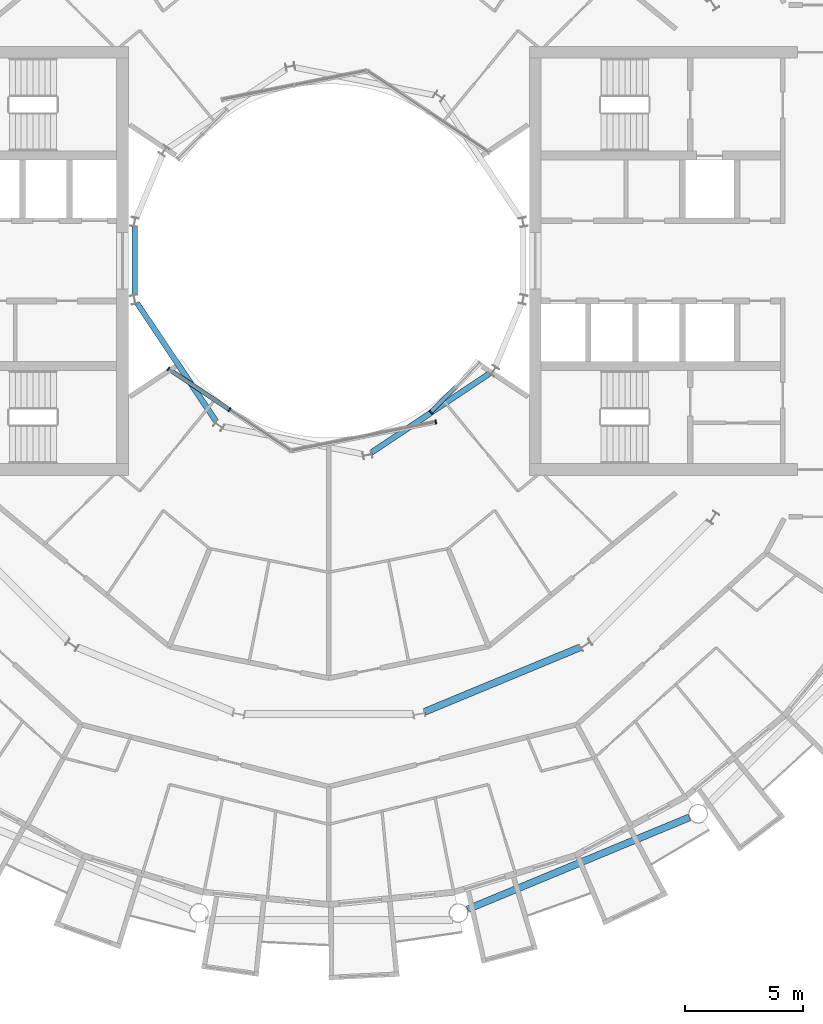
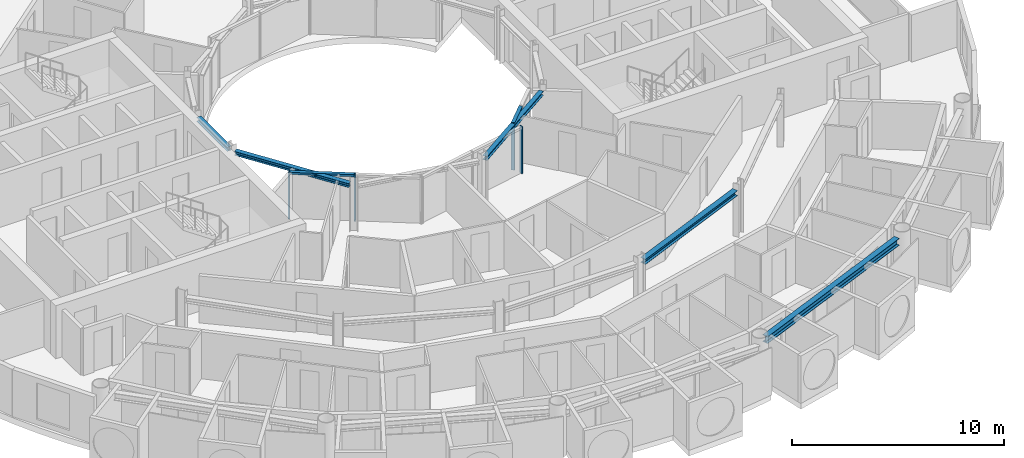
# One storey, part 6 of 27: 6 members, 5 beams, 3 elements without a shape of their own.
"""IFC4 building model written with IfcOpenShell, lengths in metres."""

from ifc_helpers import new_model, si_unit, direction, frame, origin, origin_2d, place, context, subcontext, project, spatial, rectangle, i_section, extrude, material, layer, layer_set, material_profile, profile_set, type_object, element, aggregate, save


model = new_model("IFC4")

# Units and contexts
model_context = context("Model", 3, precision=1e-05, world=origin(), true_north=direction((0.0, 1.0)))
body_context = subcontext(model_context, "Body", "Model", "MODEL_VIEW")
ifc_project = project(units=[si_unit("LENGTHUNIT", "METRE"), si_unit("AREAUNIT", "SQUARE_METRE"), si_unit("VOLUMEUNIT", "CUBIC_METRE"), si_unit("PLANEANGLEUNIT", "RADIAN"), si_unit("MASSUNIT", "GRAM", prefix="KILO")], contexts=[model_context])

# Site, building, storey
site_placement = place(None, origin())
site = spatial("IfcSite", under=ifc_project, at=site_placement, CompositionType="ELEMENT")
building_placement = place(site_placement, origin())
building = spatial("IfcBuilding", under=site, at=building_placement, Name="Maasbend Ring Residences", CompositionType="ELEMENT")
storey_placement = place(building_placement, frame((0.0, 0.0, 164.64990234375)))
storey = spatial("IfcBuildingStorey", under=building, at=storey_placement, Name="L47", CompositionType="ELEMENT", Elevation=164.64990234375)

# Curtain wall, members
ifc_material_1 = material(Name="Aluminium and clear glass", Category="aluminium")
ifc_layer = layer(ifc_material_1, 0.179931640625)
ifc_layer_set = layer_set([ifc_layer], Name="CW-W")
curtain_wall_type = type_object("IfcCurtainWallType", Name="CW-W", PredefinedType="NOTDEFINED", material=ifc_layer_set)
curtain_wall_1_placement = place(storey_placement, origin())
curtain_wall_1 = element("IfcCurtainWall", 1, at=curtain_wall_1_placement, inside=storey, type_object=curtain_wall_type, Name="Well curtain wall S1", PredefinedType="NOTDEFINED")
ifc_material_2 = material(Name="Aluminium 6063-T6", Category="aluminium")
ifc_material_profile_1 = material_profile(ifc_material_2, rectangle(XDim=0.179931640625, YDim=0.06005859375, at=origin_2d()), Name="AL 180x60")
ifc_profile_set_1 = profile_set([ifc_material_profile_1], Name="Aluminium 6063-T6")
member_type_1 = type_object("IfcMemberType", Name="CWM-W", PredefinedType="MULLION", material=ifc_profile_set_1)
member_1_placement = place(storey_placement, frame((-6.805908203125, -4.580810546875, 0.0), z_axis=(0.0, 0.0, 1.0), x_axis=(0.55557023302, 0.831469612303, 0.0)))
member_1 = element("IfcMember", 2, at=member_1_placement, type_object=member_type_1, Name="Mullion well face", PredefinedType="MULLION", context=body_context, shape_type="SweptSolid", body=[
    extrude(rectangle(XDim=0.179931640625, YDim=0.06005859375, at=origin_2d()), origin(), (0.0, 0.0, 1.0), 2.7001953125),
])
member_2_placement = place(storey_placement, frame((-4.216796875, -6.310791015625, 0.0), z_axis=(0.0, 0.0, 1.0), x_axis=(0.55557023302, 0.831469612303, 0.0)))
member_2 = element("IfcMember", 3, at=member_2_placement, type_object=member_type_1, Name="Mullion well face", PredefinedType="MULLION", context=body_context, shape_type="SweptSolid", body=[
    extrude(rectangle(XDim=0.179931640625, YDim=0.06005859375, at=origin_2d()), origin(), (0.0, 0.0, 1.0), 2.7001953125),
])

# Curtain wall, member
curtain_wall_2_placement = place(storey_placement, origin())
curtain_wall_2 = element("IfcCurtainWall", 4, at=curtain_wall_2_placement, inside=storey, type_object=curtain_wall_type, Name="Well curtain wall S2", PredefinedType="NOTDEFINED")
member_3_placement = place(storey_placement, frame((4.53466796875, -6.836669921875, 0.0), z_axis=(0.0, 0.0, 1.0), x_axis=(-0.195090322016, 0.980785280403, 0.0)))
member_3 = element("IfcMember", 5, at=member_3_placement, type_object=member_type_1, Name="Mullion well face", PredefinedType="MULLION", context=body_context, shape_type="SweptSolid", body=[
    extrude(rectangle(XDim=0.179931640625, YDim=0.06005859375, at=origin_2d()), origin(), (0.0, 0.0, 1.0), 2.7001953125),
])
aggregate(curtain_wall_2, [member_3])

curtain_wall_3_placement = place(storey_placement, origin())
curtain_wall_3 = element("IfcCurtainWall", 6, at=curtain_wall_3_placement, inside=storey, type_object=curtain_wall_type, Name="Well curtain wall S3", PredefinedType="NOTDEFINED")
member_4_placement = place(storey_placement, frame((4.320556640625, -6.413330078125, 0.0), z_axis=(0.0, 0.0, 1.0), x_axis=(-0.707106781187, 0.707106781187, 0.0)))
member_4 = element("IfcMember", 7, at=member_4_placement, type_object=member_type_1, Name="Mullion well face", PredefinedType="MULLION", context=body_context, shape_type="SweptSolid", body=[
    extrude(rectangle(XDim=0.179931640625, YDim=0.06005859375, at=origin_2d()), origin(), (0.0, 0.0, 1.0), 2.7001953125),
])

# Member
ifc_material_3 = material(Name="Aluminium 6063-T6", Category="aluminium")
ifc_material_profile_2 = material_profile(ifc_material_3, rectangle(XDim=0.179931640625, YDim=0.1201171875, at=origin_2d()), Name="AL 180x120")
ifc_profile_set_2 = profile_set([ifc_material_profile_2], Name="Aluminium 6063-T6")
member_type_2 = type_object("IfcMemberType", Name="CWT-W", PredefinedType="USERDEFINED", material=ifc_profile_set_2)
member_5_placement = place(storey_placement, frame((-6.781005859375, -4.59765625, 2.64013671875), z_axis=(0.831496422459, -0.555530106689, 0.0), x_axis=(0.555530106689, 0.831496422459, 0.0)))
member_5 = element("IfcMember", 8, at=member_5_placement, type_object=member_type_2, Name="Transom well face", ObjectType="TRANSOM", PredefinedType="USERDEFINED", context=body_context, shape_type="SweptSolid", body=[
    extrude(rectangle(XDim=0.179931640625, YDim=0.1201171875, at=origin_2d()), origin(), (0.0, 0.0, 1.0), 3.053955078125),
])

aggregate(curtain_wall_1, [member_1, member_2, member_5])

member_6_placement = place(storey_placement, frame((4.341796875, -6.39208984375, 2.64013671875), z_axis=(0.707106781187, 0.707106781187, 0.0), x_axis=(-0.707106781187, 0.707106781187, 0.0)))
member_6 = element("IfcMember", 9, at=member_6_placement, type_object=member_type_2, Name="Transom well face", ObjectType="TRANSOM", PredefinedType="USERDEFINED", context=body_context, shape_type="SweptSolid", body=[
    extrude(rectangle(XDim=0.179931640625, YDim=0.1201171875, at=origin_2d()), origin(), (0.0, 0.0, 1.0), 1.419677734375),
])

aggregate(curtain_wall_3, [member_4, member_6])

# Beams
ifc_material_4 = material(Name="Steel S355J2", Category="steel")
ifc_material_profile_3 = material_profile(ifc_material_4, i_section(OverallWidth=0.300048828125, OverallDepth=0.2900390625, WebThickness=0.008544921875, FlangeThickness=0.013916015625, FilletRadius=0.027099609375, at=origin_2d()), Name="HEA 300")
ifc_profile_set_3 = profile_set([ifc_material_profile_3], Name="Steel S355J2")
beam_type_1 = type_object("IfcBeamType", Name="Corridor ring beam HEA 300", PredefinedType="BEAM", material=ifc_profile_set_3)
beam_1_placement = place(storey_placement, frame((4.059326171875, -19.1259765625, 2.55517578125), z_axis=(0.923871339849, 0.382703210602, 0.0), x_axis=(-0.382703210602, 0.923871339849, 0.0)))
element("IfcBeam", 10, at=beam_1_placement, inside=storey, type_object=beam_type_1, Name="Corridor ring beam", PredefinedType="BEAM", context=body_context, shape_type="SweptSolid", body=[
    extrude(i_section(OverallWidth=0.300048828125, OverallDepth=0.2900390625, WebThickness=0.008544921875, FlangeThickness=0.013916015625, FilletRadius=0.027099609375, at=origin_2d()), origin(), (0.0, 0.0, 1.0), 7.137939453125),
])
ifc_material_5 = material(Name="Steel S355J2", Category="steel")
ifc_material_profile_4 = material_profile(ifc_material_5, i_section(OverallWidth=0.300048828125, OverallDepth=0.39990234375, WebThickness=0.013427734375, FlangeThickness=0.02392578125, FilletRadius=0.027099609375, at=origin_2d()), Name="HEB 400")
ifc_profile_set_4 = profile_set([ifc_material_profile_4], Name="Steel S355J2")
beam_type_2 = type_object("IfcBeamType", Name="Spandrel ring beam HEB 400", PredefinedType="SPANDREL", material=ifc_profile_set_4)
beam_2_placement = place(storey_placement, frame((5.877197265625, -27.50244140625, 2.5), z_axis=(0.923883676188, 0.382673428492, 0.0), x_axis=(-0.382673428492, 0.923883676188, 0.0)))
element("IfcBeam", 11, at=beam_2_placement, inside=storey, type_object=beam_type_2, Name="Spandrel ring beam", PredefinedType="SPANDREL", context=body_context, shape_type="SweptSolid", body=[
    extrude(i_section(OverallWidth=0.300048828125, OverallDepth=0.39990234375, WebThickness=0.013427734375, FlangeThickness=0.02392578125, FilletRadius=0.027099609375, at=origin_2d()), origin(), (0.0, 0.0, 1.0), 10.18994140625),
])
ifc_material_6 = material(Name="Steel S355J2", Category="steel")
ifc_material_profile_5 = material_profile(ifc_material_6, i_section(OverallWidth=0.239990234375, OverallDepth=0.22998046875, WebThickness=0.007568359375, FlangeThickness=0.011962890625, FilletRadius=0.02099609375, at=origin_2d()), Name="HEA 240")
ifc_profile_set_5 = profile_set([ifc_material_profile_5], Name="Steel S355J2")
beam_type_3 = type_object("IfcBeamType", Name="Well edge beam HEA 240", PredefinedType="BEAM", material=ifc_profile_set_5)
beam_3_placement = place(storey_placement, frame((-8.238525390625, 1.43994140625, 2.585205078125), z_axis=(0.0, -1.0, 0.0), x_axis=(1.0, 0.0, 0.0)))
element("IfcBeam", 12, at=beam_3_placement, inside=storey, type_object=beam_type_3, Name="Well edge beam", PredefinedType="BEAM", context=body_context, shape_type="SweptSolid", body=[
    extrude(i_section(OverallWidth=0.239990234375, OverallDepth=0.22998046875, WebThickness=0.007568359375, FlangeThickness=0.011962890625, FilletRadius=0.02099609375, at=origin_2d()), origin(), (0.0, 0.0, 1.0), 2.8798828125),
])
for number, where, z_axis, x_axis, name in (
    (13, (-8.121337890625, -1.814208984375, 2.585205078125), (0.555553413909, -0.831480850227, 0.0), (0.831480850227, 0.555553413909, 0.0), "Well edge beam"),
    (14, (1.814208984375, -8.121337890625, 2.585205078125), (0.831480850227, 0.555553413909, 0.0), (-0.555553413909, 0.831480850227, 0.0), "Well edge beam"),
):
    element("IfcBeam", number, at=place(storey_placement, frame(where, z_axis=z_axis, x_axis=x_axis)), inside=storey, type_object=beam_type_3, Name=name, PredefinedType="BEAM", context=body_context, shape_type="SweptSolid", body=[
        extrude(i_section(OverallWidth=0.239990234375, OverallDepth=0.22998046875, WebThickness=0.007568359375, FlangeThickness=0.011962890625, FilletRadius=0.02099609375, at=origin_2d()), origin(), (0.0, 0.0, 1.0), 6.0068359375),
    ])

save(model, "model.ifc")
